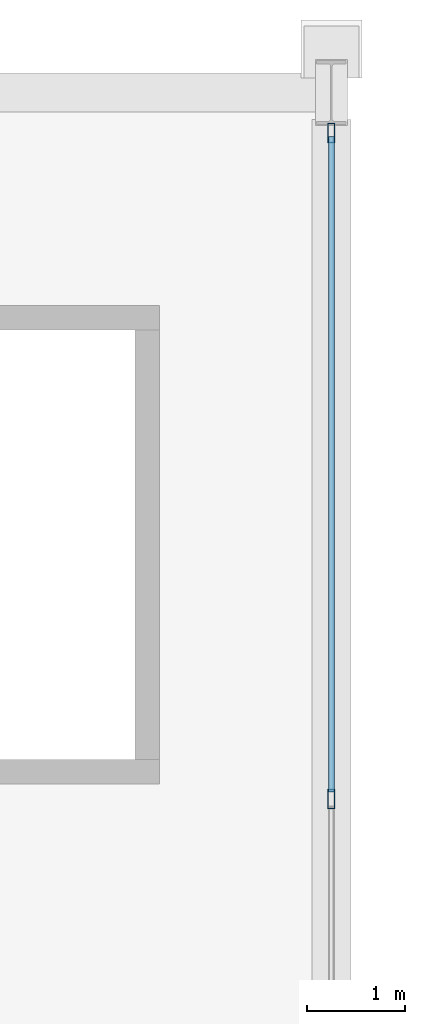
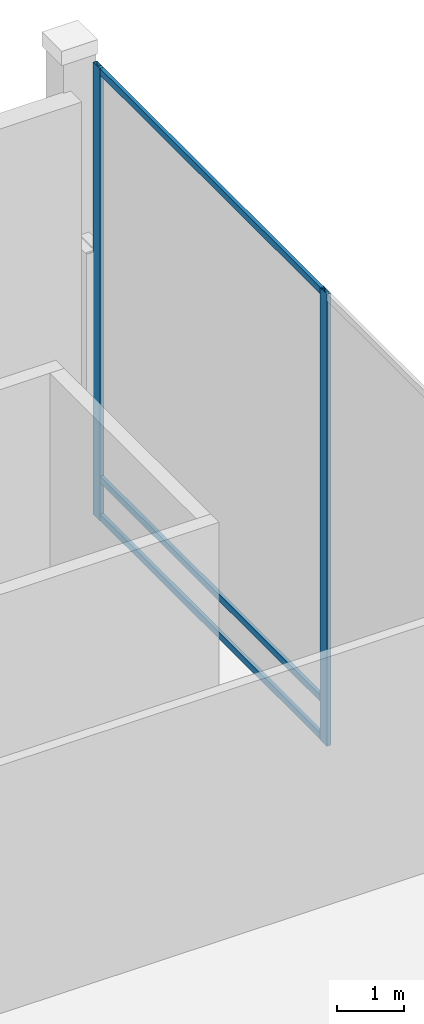
# One storey, part 111 of 193: 5 members, 1 element without a shape of its own.
"""IFC4 building model written with IfcOpenShell, lengths in metres."""

from ifc_helpers import new_model, si_unit, direction, frame, origin, origin_2d, place, context, subcontext, project, spatial, hollow_rectangle, extrude, material, material_profile, profile_set, type_object, element, aggregate, save


model = new_model("IFC4")

# Units and contexts
model_context = context("Model", 3, precision=1e-05, world=origin(), true_north=direction((0.0, 1.0)))
body_context = subcontext(model_context, "Body", "Model", "MODEL_VIEW")
ifc_project = project(units=[si_unit("LENGTHUNIT", "METRE"), si_unit("AREAUNIT", "SQUARE_METRE"), si_unit("VOLUMEUNIT", "CUBIC_METRE"), si_unit("PLANEANGLEUNIT", "RADIAN"), si_unit("MASSUNIT", "GRAM", prefix="KILO")], contexts=[model_context])

# Site, building, storey
site_placement = place(None, origin())
site = spatial("IfcSite", under=ifc_project, at=site_placement, CompositionType="ELEMENT")
building_placement = place(site_placement, origin())
building = spatial("IfcBuilding", under=site, at=building_placement, Name="Cendralis Lancet Convention Centre", CompositionType="ELEMENT")
storey_placement = place(building_placement, frame((0.0, 0.0, 10.199951171875)))
storey = spatial("IfcBuildingStorey", under=building, at=storey_placement, Name="L02", CompositionType="ELEMENT", Elevation=10.199951171875)

# Curtain wall, members
ifc_material = material(Name="Anodised bronze architectural aluminium", Category="aluminium")
curtain_wall_type = type_object("IfcCurtainWallType", Name="ARC-CW-BL02", PredefinedType="USERDEFINED", material=ifc_material)
curtain_wall_placement = place(storey_placement, origin())
curtain_wall = element("IfcCurtainWall", 1, at=curtain_wall_placement, inside=storey, type_object=curtain_wall_type, Name="L02 Curtain Wall CW-BL2 #162", ObjectType="CURTAIN WALL", PredefinedType="USERDEFINED")
ifc_material_profile_1 = material_profile(ifc_material, hollow_rectangle(XDim=0.070068359375, YDim=0.199951171875, WallThickness=0.0048828125, at=origin_2d()), Name="AL-MULL 70x200x5.0")
ifc_profile_set_1 = profile_set([ifc_material_profile_1], Name="Anodised bronze architectural aluminium")
member_type_1 = type_object("IfcMemberType", Name="ARC-CW-ML02", PredefinedType="MULLION", material=ifc_profile_set_1)
member_1_placement = place(storey_placement, frame((208.800048828125, 136.389892578125, 0.0), z_axis=(0.0, 0.0, 1.0), x_axis=(1.0, 0.0, 0.0)))
member_1 = element("IfcMember", 2, at=member_1_placement, type_object=member_type_1, Name="Mullion CW2-CW-BL2-L02-162-M0", PredefinedType="MULLION", context=body_context, shape_type="SweptSolid", body=[
    extrude(hollow_rectangle(XDim=0.070068359375, YDim=0.199951171875, WallThickness=0.0048828125, at=origin_2d()), origin(), (0.0, 0.0, 1.0), 8.25),
])
member_2_placement = place(storey_placement, frame((208.800048828125, 129.60009765625, 0.0), z_axis=(0.0, 0.0, 1.0), x_axis=(1.0, 0.0, 0.0)))
member_2 = element("IfcMember", 3, at=member_2_placement, type_object=member_type_1, Name="Mullion CW2-CW-BL2-L02-162-M1", PredefinedType="MULLION", context=body_context, shape_type="SweptSolid", body=[
    extrude(hollow_rectangle(XDim=0.070068359375, YDim=0.199951171875, WallThickness=0.0048828125, at=origin_2d()), origin(), (0.0, 0.0, 1.0), 8.25),
])
ifc_material_profile_2 = material_profile(ifc_material, hollow_rectangle(XDim=0.06005859375, YDim=0.1201171875, WallThickness=0.00390625, at=origin_2d()), Name="AL-TRAN 60x120x4.0")
ifc_profile_set_2 = profile_set([ifc_material_profile_2], Name="Anodised bronze architectural aluminium")
member_type_2 = type_object("IfcMemberType", Name="ARC-CW-TR01", PredefinedType="USERDEFINED", material=ifc_profile_set_2)
member_3_placement = place(storey_placement, frame((208.800048828125, 136.35498046875, 0.06005859375), z_axis=(0.0, -1.0, 0.0), x_axis=(1.0, 0.0, 0.0)))
member_3 = element("IfcMember", 4, at=member_3_placement, type_object=member_type_2, Name="Transom CW2-CW-BL2-L02-162-T0BOT", ObjectType="TRANSOM", PredefinedType="USERDEFINED", context=body_context, shape_type="SweptSolid", body=[
    extrude(hollow_rectangle(XDim=0.06005859375, YDim=0.1201171875, WallThickness=0.00390625, at=origin_2d()), origin(), (0.0, 0.0, 1.0), 6.68505859375),
])
member_4_placement = place(storey_placement, frame((208.800048828125, 136.35498046875, 0.75), z_axis=(0.0, -1.0, 0.0), x_axis=(1.0, 0.0, 0.0)))
member_4 = element("IfcMember", 5, at=member_4_placement, type_object=member_type_2, Name="Transom CW2-CW-BL2-L02-162-T0MID", ObjectType="TRANSOM", PredefinedType="USERDEFINED", context=body_context, shape_type="SweptSolid", body=[
    extrude(hollow_rectangle(XDim=0.06005859375, YDim=0.1201171875, WallThickness=0.00390625, at=origin_2d()), origin(), (0.0, 0.0, 1.0), 6.68505859375),
])
member_5_placement = place(storey_placement, frame((208.800048828125, 136.35498046875, 8.18994140625), z_axis=(0.0, -1.0, 0.0), x_axis=(1.0, 0.0, 0.0)))
member_5 = element("IfcMember", 6, at=member_5_placement, type_object=member_type_2, Name="Transom CW2-CW-BL2-L02-162-T0TOP", ObjectType="TRANSOM", PredefinedType="USERDEFINED", context=body_context, shape_type="SweptSolid", body=[
    extrude(hollow_rectangle(XDim=0.06005859375, YDim=0.1201171875, WallThickness=0.00390625, at=origin_2d()), origin(), (0.0, 0.0, 1.0), 6.68505859375),
])
aggregate(curtain_wall, [member_1, member_2, member_3, member_4, member_5])

save(model, "model.ifc")
